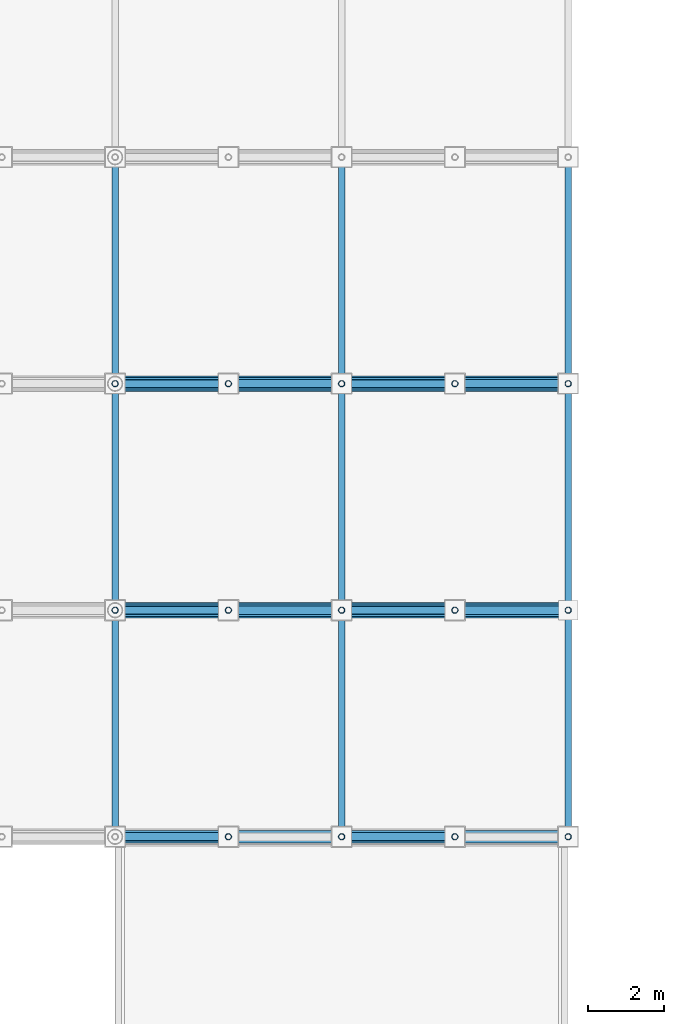
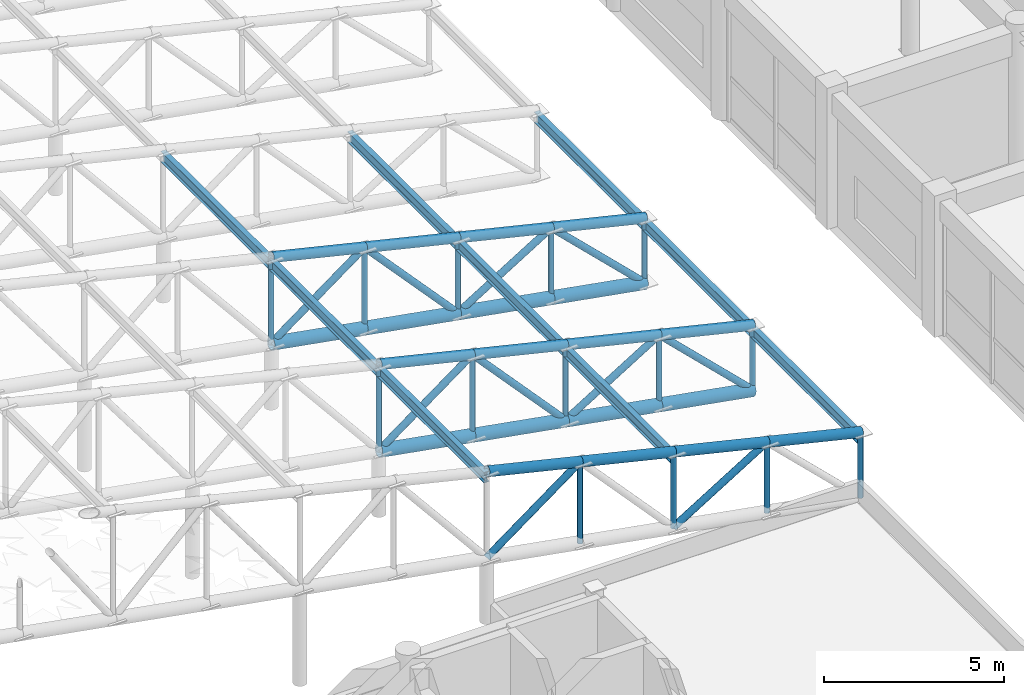
# One storey, part 58 of 112: 44 members, 9 beams.
"""IFC4 building model written with IfcOpenShell, lengths in metres."""

from ifc_helpers import new_model, si_unit, direction, frame, origin, origin_2d, place, context, subcontext, project, spatial, hollow_circle, i_section, extrude, material, material_profile, profile_set, type_object, element, save


model = new_model("IFC4")

# Units and contexts
model_context = context("Model", 3, precision=1e-05, world=origin(), true_north=direction((0.0, 1.0)))
body_context = subcontext(model_context, "Body", "Model", "MODEL_VIEW")
ifc_project = project(units=[si_unit("LENGTHUNIT", "METRE"), si_unit("AREAUNIT", "SQUARE_METRE"), si_unit("VOLUMEUNIT", "CUBIC_METRE"), si_unit("PLANEANGLEUNIT", "RADIAN"), si_unit("MASSUNIT", "GRAM", prefix="KILO"), si_unit("THERMODYNAMICTEMPERATUREUNIT", "KELVIN"), si_unit("POWERUNIT", "WATT")], contexts=[model_context])

# Site, building, storey
site_placement = place(None, origin())
site = spatial("IfcSite", under=ifc_project, at=site_placement, CompositionType="ELEMENT")
building_placement = place(site_placement, origin())
building = spatial("IfcBuilding", under=site, at=building_placement, Name="Phaisarnlok Congress Hotel", CompositionType="ELEMENT")
storey_placement = place(building_placement, frame((0.0, 0.0, 19.800048828125)))
storey = spatial("IfcBuildingStorey", under=building, at=storey_placement, Name="L04", CompositionType="ELEMENT", Elevation=19.800048828125)

# Beams
ifc_material = material(Name="Steel S355", Category="steel")
ifc_material_profile_1 = material_profile(ifc_material, i_section(OverallWidth=0.169921875, OverallDepth=0.360107421875, WebThickness=0.008056640625, FlangeThickness=0.0126953125, FilletRadius=0.01806640625, at=origin_2d()), Name="IPE 360")
ifc_profile_set_1 = profile_set([ifc_material_profile_1], Name="Steel S355")
beam_type = type_object("IfcBeamType", Name="JS-STL-IPE360", PredefinedType="JOIST", material=ifc_profile_set_1)
for number, where, z_axis, x_axis, name in (
    (1, (156.0, 48.0, 2.008056640625), (0.0, 1.0, 0.0), (-1.0, 0.0, 0.0), "Cloister wing roof purlin"),
    (2, (150.0, 48.0, 3.43994140625), (0.0, 1.0, 0.0), (-1.0, 0.0, 0.0), "Cloister wing roof purlin"),
    (3, (144.0, 48.0, 4.8720703125), (0.0, 1.0, 0.0), (-1.0, 0.0, 0.0), "Cloister wing roof purlin"),
    (4, (156.0, 54.0, 2.008056640625), (0.0, 1.0, 0.0), (-1.0, 0.0, 0.0), "Cloister wing roof purlin"),
    (5, (150.0, 54.0, 3.43994140625), (0.0, 1.0, 0.0), (-1.0, 0.0, 0.0), "Cloister wing roof purlin"),
    (6, (144.0, 54.0, 4.8720703125), (0.0, 1.0, 0.0), (-1.0, 0.0, 0.0), "Cloister wing roof purlin"),
    (7, (156.0, 60.0, 2.008056640625), (0.0, 1.0, 0.0), (-1.0, 0.0, 0.0), "Cloister wing roof purlin"),
    (8, (150.0, 60.0, 3.43994140625), (0.0, 1.0, 0.0), (-1.0, 0.0, 0.0), "Cloister wing roof purlin"),
    (9, (144.0, 60.0, 4.8720703125), (0.0, 1.0, 0.0), (-1.0, 0.0, 0.0), "Cloister wing roof purlin"),
):
    element("IfcBeam", number, at=place(storey_placement, frame(where, z_axis=z_axis, x_axis=x_axis)), inside=storey, type_object=beam_type, Name=name, PredefinedType="JOIST", context=body_context, shape_type="SweptSolid", body=[
        extrude(i_section(OverallWidth=0.169921875, OverallDepth=0.360107421875, WebThickness=0.008056640625, FlangeThickness=0.0126953125, FilletRadius=0.01806640625, at=origin_2d()), origin(), (0.0, 0.0, 1.0), 6.0),
    ])

# Members
ifc_material_profile_2 = material_profile(ifc_material, hollow_circle(Radius=0.084228515625, WallThickness=0.010009765625, at=origin_2d()), Name="CHS 168.3x10")
ifc_profile_set_2 = profile_set([ifc_material_profile_2], Name="Steel S355")
member_type_1 = type_object("IfcMemberType", Name="MEM-BRC-CHS168", PredefinedType="BRACE", material=ifc_profile_set_2)
member_1_placement = place(storey_placement, frame((156.0, 48.0, 0.0), z_axis=(0.0, 0.0, 1.0), x_axis=(1.0, 0.0, 0.0)))
element("IfcMember", 10, at=member_1_placement, inside=storey, type_object=member_type_1, Name="Cloister wing roof truss vertical web", PredefinedType="BRACE", context=body_context, shape_type="SweptSolid", body=[
    extrude(hollow_circle(Radius=0.084228515625, WallThickness=0.010009765625, at=origin_2d()), origin(), (0.0, 0.0, 1.0), 2.199951171875),
])
member_2_placement = place(storey_placement, frame((153.0, 48.0, 0.533203125), z_axis=(0.0, 0.0, 1.0), x_axis=(1.0, 0.0, 0.0)))
element("IfcMember", 11, at=member_2_placement, inside=storey, type_object=member_type_1, Name="Cloister wing roof truss vertical web", PredefinedType="BRACE", context=body_context, shape_type="SweptSolid", body=[
    extrude(hollow_circle(Radius=0.084228515625, WallThickness=0.010009765625, at=origin_2d()), origin(), (0.0, 0.0, 1.0), 2.3828125),
])
member_3_placement = place(storey_placement, frame((150.0, 48.0, 1.066650390625), z_axis=(0.0, 0.0, 1.0), x_axis=(1.0, 0.0, 0.0)))
element("IfcMember", 12, at=member_3_placement, inside=storey, type_object=member_type_1, Name="Cloister wing roof truss vertical web", PredefinedType="BRACE", context=body_context, shape_type="SweptSolid", body=[
    extrude(hollow_circle(Radius=0.084228515625, WallThickness=0.010009765625, at=origin_2d()), origin(), (0.0, 0.0, 1.0), 2.5654296875),
])
member_4_placement = place(storey_placement, frame((147.0, 48.0, 1.599853515625), z_axis=(0.0, 0.0, 1.0), x_axis=(1.0, 0.0, 0.0)))
element("IfcMember", 13, at=member_4_placement, inside=storey, type_object=member_type_1, Name="Cloister wing roof truss vertical web", PredefinedType="BRACE", context=body_context, shape_type="SweptSolid", body=[
    extrude(hollow_circle(Radius=0.084228515625, WallThickness=0.010009765625, at=origin_2d()), origin(), (0.0, 0.0, 1.0), 2.748291015625),
])
member_5_placement = place(storey_placement, frame((156.0, 54.0, 0.0), z_axis=(0.0, 0.0, 1.0), x_axis=(1.0, 0.0, 0.0)))
element("IfcMember", 14, at=member_5_placement, inside=storey, type_object=member_type_1, Name="Cloister wing roof truss vertical web", PredefinedType="BRACE", context=body_context, shape_type="SweptSolid", body=[
    extrude(hollow_circle(Radius=0.084228515625, WallThickness=0.010009765625, at=origin_2d()), origin(), (0.0, 0.0, 1.0), 2.199951171875),
])
member_6_placement = place(storey_placement, frame((153.0, 54.0, 0.533203125), z_axis=(0.0, 0.0, 1.0), x_axis=(1.0, 0.0, 0.0)))
element("IfcMember", 15, at=member_6_placement, inside=storey, type_object=member_type_1, Name="Cloister wing roof truss vertical web", PredefinedType="BRACE", context=body_context, shape_type="SweptSolid", body=[
    extrude(hollow_circle(Radius=0.084228515625, WallThickness=0.010009765625, at=origin_2d()), origin(), (0.0, 0.0, 1.0), 2.3828125),
])
member_7_placement = place(storey_placement, frame((150.0, 54.0, 1.066650390625), z_axis=(0.0, 0.0, 1.0), x_axis=(1.0, 0.0, 0.0)))
element("IfcMember", 16, at=member_7_placement, inside=storey, type_object=member_type_1, Name="Cloister wing roof truss vertical web", PredefinedType="BRACE", context=body_context, shape_type="SweptSolid", body=[
    extrude(hollow_circle(Radius=0.084228515625, WallThickness=0.010009765625, at=origin_2d()), origin(), (0.0, 0.0, 1.0), 2.5654296875),
])
member_8_placement = place(storey_placement, frame((147.0, 54.0, 1.599853515625), z_axis=(0.0, 0.0, 1.0), x_axis=(1.0, 0.0, 0.0)))
element("IfcMember", 17, at=member_8_placement, inside=storey, type_object=member_type_1, Name="Cloister wing roof truss vertical web", PredefinedType="BRACE", context=body_context, shape_type="SweptSolid", body=[
    extrude(hollow_circle(Radius=0.084228515625, WallThickness=0.010009765625, at=origin_2d()), origin(), (0.0, 0.0, 1.0), 2.748291015625),
])
member_9_placement = place(storey_placement, frame((144.0, 54.0, 2.13330078125), z_axis=(0.0, 0.0, 1.0), x_axis=(1.0, 0.0, 0.0)))
element("IfcMember", 18, at=member_9_placement, inside=storey, type_object=member_type_1, Name="Cloister wing roof truss vertical web", PredefinedType="BRACE", context=body_context, shape_type="SweptSolid", body=[
    extrude(hollow_circle(Radius=0.084228515625, WallThickness=0.010009765625, at=origin_2d()), origin(), (0.0, 0.0, 1.0), 2.930908203125),
])
member_10_placement = place(storey_placement, frame((156.0, 60.0, 0.0), z_axis=(0.0, 0.0, 1.0), x_axis=(1.0, 0.0, 0.0)))
element("IfcMember", 19, at=member_10_placement, inside=storey, type_object=member_type_1, Name="Cloister wing roof truss vertical web", PredefinedType="BRACE", context=body_context, shape_type="SweptSolid", body=[
    extrude(hollow_circle(Radius=0.084228515625, WallThickness=0.010009765625, at=origin_2d()), origin(), (0.0, 0.0, 1.0), 2.199951171875),
])
member_11_placement = place(storey_placement, frame((153.0, 60.0, 0.533203125), z_axis=(0.0, 0.0, 1.0), x_axis=(1.0, 0.0, 0.0)))
element("IfcMember", 20, at=member_11_placement, inside=storey, type_object=member_type_1, Name="Cloister wing roof truss vertical web", PredefinedType="BRACE", context=body_context, shape_type="SweptSolid", body=[
    extrude(hollow_circle(Radius=0.084228515625, WallThickness=0.010009765625, at=origin_2d()), origin(), (0.0, 0.0, 1.0), 2.3828125),
])
member_12_placement = place(storey_placement, frame((150.0, 60.0, 1.066650390625), z_axis=(0.0, 0.0, 1.0), x_axis=(1.0, 0.0, 0.0)))
element("IfcMember", 21, at=member_12_placement, inside=storey, type_object=member_type_1, Name="Cloister wing roof truss vertical web", PredefinedType="BRACE", context=body_context, shape_type="SweptSolid", body=[
    extrude(hollow_circle(Radius=0.084228515625, WallThickness=0.010009765625, at=origin_2d()), origin(), (0.0, 0.0, 1.0), 2.5654296875),
])
member_13_placement = place(storey_placement, frame((147.0, 60.0, 1.599853515625), z_axis=(0.0, 0.0, 1.0), x_axis=(1.0, 0.0, 0.0)))
element("IfcMember", 22, at=member_13_placement, inside=storey, type_object=member_type_1, Name="Cloister wing roof truss vertical web", PredefinedType="BRACE", context=body_context, shape_type="SweptSolid", body=[
    extrude(hollow_circle(Radius=0.084228515625, WallThickness=0.010009765625, at=origin_2d()), origin(), (0.0, 0.0, 1.0), 2.748291015625),
])
member_14_placement = place(storey_placement, frame((144.0, 60.0, 2.13330078125), z_axis=(0.0, 0.0, 1.0), x_axis=(1.0, 0.0, 0.0)))
element("IfcMember", 23, at=member_14_placement, inside=storey, type_object=member_type_1, Name="Cloister wing roof truss vertical web", PredefinedType="BRACE", context=body_context, shape_type="SweptSolid", body=[
    extrude(hollow_circle(Radius=0.084228515625, WallThickness=0.010009765625, at=origin_2d()), origin(), (0.0, 0.0, 1.0), 2.930908203125),
])
ifc_material_profile_3 = material_profile(ifc_material, hollow_circle(Radius=0.109619140625, WallThickness=0.012451171875, at=origin_2d()), Name="CHS 219.1x12.5")
ifc_profile_set_3 = profile_set([ifc_material_profile_3], Name="Steel S355")
member_type_2 = type_object("IfcMemberType", Name="MEM-BRC-CHS219", PredefinedType="BRACE", material=ifc_profile_set_3)
member_15_placement = place(storey_placement, frame((150.0, 48.0, 1.066650390625), z_axis=(0.851251329707, 0.0, 0.524758204959), x_axis=(0.0, 1.0, 0.0)))
element("IfcMember", 24, at=member_15_placement, inside=storey, type_object=member_type_2, Name="Cloister wing roof truss diagonal brace", PredefinedType="BRACE", context=body_context, shape_type="SweptSolid", body=[
    extrude(hollow_circle(Radius=0.109619140625, WallThickness=0.012451171875, at=origin_2d()), origin(), (0.0, 0.0, 1.0), 3.524169921875),
])
member_16_placement = place(storey_placement, frame((144.0, 48.0, 2.13330078125), z_axis=(0.804502572665, 0.0, 0.593949164975), x_axis=(0.0, 1.0, 0.0)))
element("IfcMember", 25, at=member_16_placement, inside=storey, type_object=member_type_2, Name="Cloister wing roof truss diagonal brace", PredefinedType="BRACE", context=body_context, shape_type="SweptSolid", body=[
    extrude(hollow_circle(Radius=0.109619140625, WallThickness=0.012451171875, at=origin_2d()), origin(), (0.0, 0.0, 1.0), 3.72900390625),
])
member_17_placement = place(storey_placement, frame((156.0, 54.0, 0.0), z_axis=(-0.717072690854, 0.0, 0.696998390264), x_axis=(0.0, -1.0, 0.0)))
element("IfcMember", 26, at=member_17_placement, inside=storey, type_object=member_type_2, Name="Cloister wing roof truss diagonal brace", PredefinedType="BRACE", context=body_context, shape_type="SweptSolid", body=[
    extrude(hollow_circle(Radius=0.109619140625, WallThickness=0.012451171875, at=origin_2d()), origin(), (0.0, 0.0, 1.0), 4.18359375),
])
member_18_placement = place(storey_placement, frame((150.0, 54.0, 1.066650390625), z_axis=(0.851251329707, 0.0, 0.524758204959), x_axis=(0.0, 1.0, 0.0)))
element("IfcMember", 27, at=member_18_placement, inside=storey, type_object=member_type_2, Name="Cloister wing roof truss diagonal brace", PredefinedType="BRACE", context=body_context, shape_type="SweptSolid", body=[
    extrude(hollow_circle(Radius=0.109619140625, WallThickness=0.012451171875, at=origin_2d()), origin(), (0.0, 0.0, 1.0), 3.524169921875),
])
member_19_placement = place(storey_placement, frame((150.0, 54.0, 1.066650390625), z_axis=(-0.674741853636, 0.0, 0.738053813046), x_axis=(0.0, -1.0, 0.0)))
element("IfcMember", 28, at=member_19_placement, inside=storey, type_object=member_type_2, Name="Cloister wing roof truss diagonal brace", PredefinedType="BRACE", context=body_context, shape_type="SweptSolid", body=[
    extrude(hollow_circle(Radius=0.109619140625, WallThickness=0.012451171875, at=origin_2d()), origin(), (0.0, 0.0, 1.0), 4.446044921875),
])
member_20_placement = place(storey_placement, frame((144.0, 54.0, 2.13330078125), z_axis=(0.804502572665, 0.0, 0.593949164975), x_axis=(0.0, 1.0, 0.0)))
element("IfcMember", 29, at=member_20_placement, inside=storey, type_object=member_type_2, Name="Cloister wing roof truss diagonal brace", PredefinedType="BRACE", context=body_context, shape_type="SweptSolid", body=[
    extrude(hollow_circle(Radius=0.109619140625, WallThickness=0.012451171875, at=origin_2d()), origin(), (0.0, 0.0, 1.0), 3.72900390625),
])
member_21_placement = place(storey_placement, frame((156.0, 60.0, 0.0), z_axis=(-0.717072690854, 0.0, 0.696998390264), x_axis=(0.0, -1.0, 0.0)))
element("IfcMember", 30, at=member_21_placement, inside=storey, type_object=member_type_2, Name="Cloister wing roof truss diagonal brace", PredefinedType="BRACE", context=body_context, shape_type="SweptSolid", body=[
    extrude(hollow_circle(Radius=0.109619140625, WallThickness=0.012451171875, at=origin_2d()), origin(), (0.0, 0.0, 1.0), 4.18359375),
])
member_22_placement = place(storey_placement, frame((150.0, 60.0, 1.066650390625), z_axis=(0.851251329707, 0.0, 0.524758204959), x_axis=(0.0, 1.0, 0.0)))
element("IfcMember", 31, at=member_22_placement, inside=storey, type_object=member_type_2, Name="Cloister wing roof truss diagonal brace", PredefinedType="BRACE", context=body_context, shape_type="SweptSolid", body=[
    extrude(hollow_circle(Radius=0.109619140625, WallThickness=0.012451171875, at=origin_2d()), origin(), (0.0, 0.0, 1.0), 3.524169921875),
])
member_23_placement = place(storey_placement, frame((150.0, 60.0, 1.066650390625), z_axis=(-0.674741853636, 0.0, 0.738053813046), x_axis=(0.0, -1.0, 0.0)))
element("IfcMember", 32, at=member_23_placement, inside=storey, type_object=member_type_2, Name="Cloister wing roof truss diagonal brace", PredefinedType="BRACE", context=body_context, shape_type="SweptSolid", body=[
    extrude(hollow_circle(Radius=0.109619140625, WallThickness=0.012451171875, at=origin_2d()), origin(), (0.0, 0.0, 1.0), 4.446044921875),
])
member_24_placement = place(storey_placement, frame((144.0, 60.0, 2.13330078125), z_axis=(0.804502572665, 0.0, 0.593949164975), x_axis=(0.0, 1.0, 0.0)))
element("IfcMember", 33, at=member_24_placement, inside=storey, type_object=member_type_2, Name="Cloister wing roof truss diagonal brace", PredefinedType="BRACE", context=body_context, shape_type="SweptSolid", body=[
    extrude(hollow_circle(Radius=0.109619140625, WallThickness=0.012451171875, at=origin_2d()), origin(), (0.0, 0.0, 1.0), 3.72900390625),
])
ifc_material_profile_4 = material_profile(ifc_material, hollow_circle(Radius=0.161865234375, WallThickness=0.01611328125, at=origin_2d()), Name="CHS 323.9x16")
ifc_profile_set_4 = profile_set([ifc_material_profile_4], Name="Steel S355")
member_type_3 = type_object("IfcMemberType", Name="MEM-CHD-CHS324", PredefinedType="CHORD", material=ifc_profile_set_4)
for number, where, z_axis, x_axis, name in (
    (34, (156.0, 48.0, 2.199951171875), (-0.972676115692, 0.0, 0.232166263617), (0.0, -1.0, 0.0), "Cloister wing roof truss top chord"),
    (35, (153.0, 48.0, 2.916015625), (-0.972676115692, 0.0, 0.232166263617), (0.0, -1.0, 0.0), "Cloister wing roof truss top chord"),
    (36, (150.0, 48.0, 3.632080078125), (-0.972676115692, 0.0, 0.232166263617), (0.0, -1.0, 0.0), "Cloister wing roof truss top chord"),
    (37, (147.0, 48.0, 4.34814453125), (-0.972676115692, 0.0, 0.232166263617), (0.0, -1.0, 0.0), "Cloister wing roof truss top chord"),
    (38, (156.0, 54.0, 2.199951171875), (-0.972676115692, 0.0, 0.232166263617), (0.0, -1.0, 0.0), "Cloister wing roof truss top chord"),
    (39, (153.0, 54.0, 2.916015625), (-0.972676115692, 0.0, 0.232166263617), (0.0, -1.0, 0.0), "Cloister wing roof truss top chord"),
    (40, (150.0, 54.0, 3.632080078125), (-0.972676115692, 0.0, 0.232166263617), (0.0, -1.0, 0.0), "Cloister wing roof truss top chord"),
    (41, (147.0, 54.0, 4.34814453125), (-0.972676115692, 0.0, 0.232166263617), (0.0, -1.0, 0.0), "Cloister wing roof truss top chord"),
    (42, (156.0, 60.0, 2.199951171875), (-0.972676115692, 0.0, 0.232166263617), (0.0, -1.0, 0.0), "Cloister wing roof truss top chord"),
    (43, (153.0, 60.0, 2.916015625), (-0.972676115692, 0.0, 0.232166263617), (0.0, -1.0, 0.0), "Cloister wing roof truss top chord"),
    (44, (150.0, 60.0, 3.632080078125), (-0.972676115692, 0.0, 0.232166263617), (0.0, -1.0, 0.0), "Cloister wing roof truss top chord"),
    (45, (147.0, 60.0, 4.34814453125), (-0.972676115692, 0.0, 0.232166263617), (0.0, -1.0, 0.0), "Cloister wing roof truss top chord"),
):
    element("IfcMember", number, at=place(storey_placement, frame(where, z_axis=z_axis, x_axis=x_axis)), inside=storey, type_object=member_type_3, Name=name, PredefinedType="CHORD", context=body_context, shape_type="SweptSolid", body=[
        extrude(hollow_circle(Radius=0.161865234375, WallThickness=0.01611328125, at=origin_2d()), origin(), (0.0, 0.0, 1.0), 3.084228515625),
    ])
ifc_material_profile_5 = material_profile(ifc_material, hollow_circle(Radius=0.203125, WallThickness=0.02001953125, at=origin_2d()), Name="CHS 406.4x20")
ifc_profile_set_5 = profile_set([ifc_material_profile_5], Name="Steel S355")
member_type_4 = type_object("IfcMemberType", Name="MEM-CHD-CHS406", PredefinedType="CHORD", material=ifc_profile_set_5)
for number, where, z_axis, x_axis, name in (
    (46, (156.0, 54.0, 0.0), (-0.984569871158, 0.0, 0.174991910694), (0.0, -1.0, 0.0), "Cloister wing roof truss bottom chord"),
    (47, (153.0, 54.0, 0.533203125), (-0.984556063496, 0.0, 0.175069579976), (0.0, -1.0, 0.0), "Cloister wing roof truss bottom chord"),
    (48, (150.0, 54.0, 1.066650390625), (-0.984569871158, 0.0, 0.174991910694), (0.0, -1.0, 0.0), "Cloister wing roof truss bottom chord"),
    (49, (147.0, 54.0, 1.599853515625), (-0.984556063496, 0.0, 0.175069579976), (0.0, -1.0, 0.0), "Cloister wing roof truss bottom chord"),
    (50, (156.0, 60.0, 0.0), (-0.984569871158, 0.0, 0.174991910694), (0.0, -1.0, 0.0), "Cloister wing roof truss bottom chord"),
    (51, (153.0, 60.0, 0.533203125), (-0.984556063496, 0.0, 0.175069579976), (0.0, -1.0, 0.0), "Cloister wing roof truss bottom chord"),
    (52, (150.0, 60.0, 1.066650390625), (-0.984569871158, 0.0, 0.174991910694), (0.0, -1.0, 0.0), "Cloister wing roof truss bottom chord"),
    (53, (147.0, 60.0, 1.599853515625), (-0.984556063496, 0.0, 0.175069579976), (0.0, -1.0, 0.0), "Cloister wing roof truss bottom chord"),
):
    element("IfcMember", number, at=place(storey_placement, frame(where, z_axis=z_axis, x_axis=x_axis)), inside=storey, type_object=member_type_4, Name=name, PredefinedType="CHORD", context=body_context, shape_type="SweptSolid", body=[
        extrude(hollow_circle(Radius=0.203125, WallThickness=0.02001953125, at=origin_2d()), origin(), (0.0, 0.0, 1.0), 3.047119140625),
    ])

save(model, "model.ifc")
